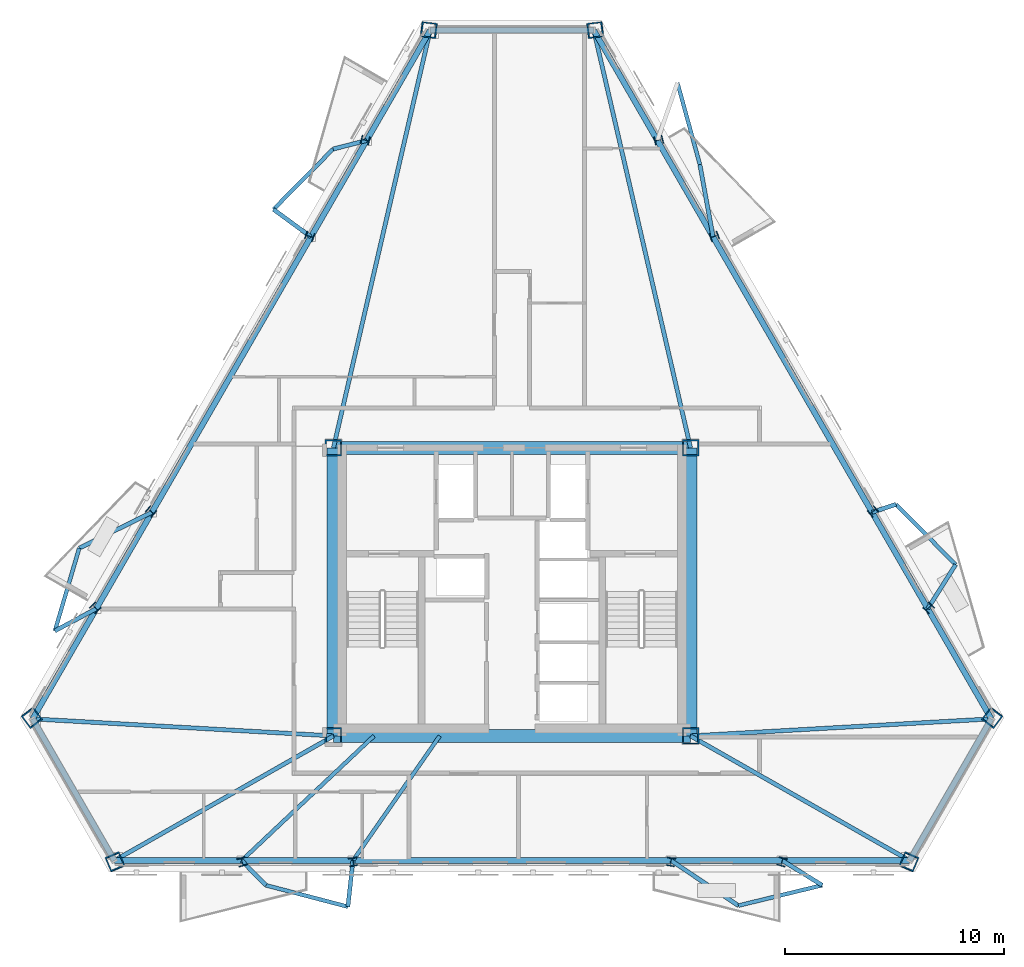
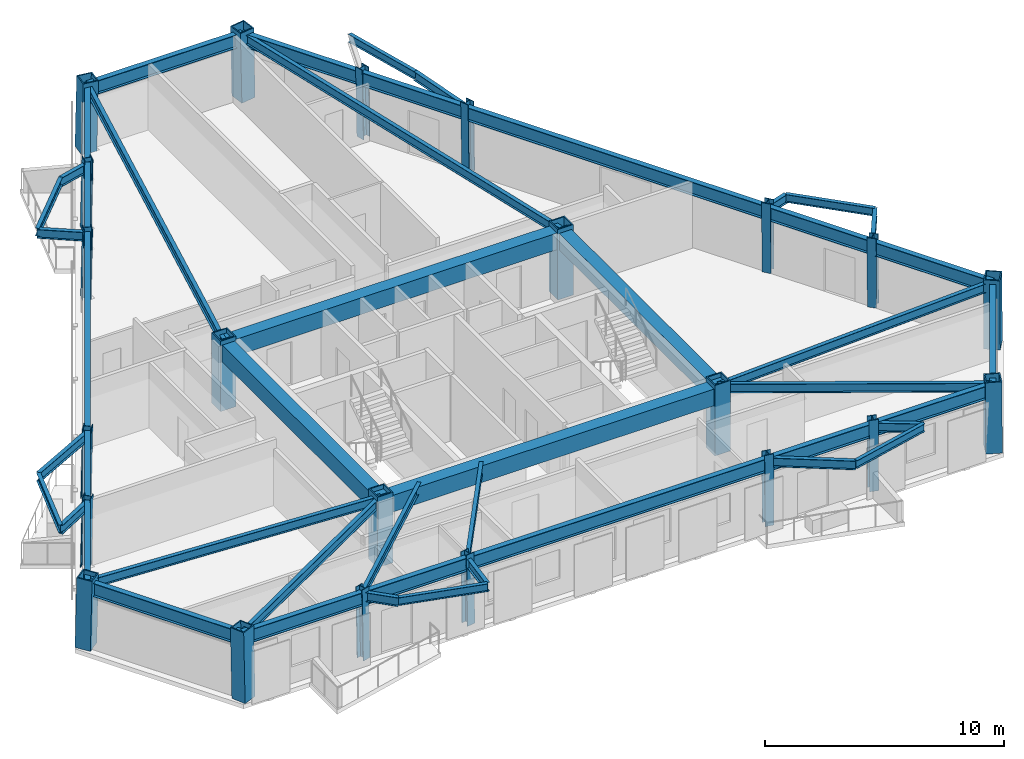
# One storey, part 1 of 8: 47 beams, 22 columns.
"""IFC4 building model written with IfcOpenShell, lengths in metres."""

from ifc_helpers import new_model, si_unit, direction, frame, origin, origin_2d, place, context, subcontext, project, spatial, rectangle, hollow_rectangle, i_section, extrude, material, material_profile, profile_set, type_object, element, save


model = new_model("IFC4")

# Units and contexts
model_context = context("Model", 3, precision=1e-05, world=origin(), true_north=direction((0.0, 1.0)))
body_context = subcontext(model_context, "Body", "Model", "MODEL_VIEW")
ifc_project = project(units=[si_unit("LENGTHUNIT", "METRE"), si_unit("AREAUNIT", "SQUARE_METRE"), si_unit("VOLUMEUNIT", "CUBIC_METRE"), si_unit("PLANEANGLEUNIT", "RADIAN"), si_unit("MASSUNIT", "GRAM", prefix="KILO")], contexts=[model_context])

# Site, building, storey
site_placement = place(None, origin())
site = spatial("IfcSite", under=ifc_project, at=site_placement, CompositionType="ELEMENT")
building_placement = place(site_placement, origin())
building = spatial("IfcBuilding", under=site, at=building_placement, Name="Oramaril Tower", CompositionType="ELEMENT")
storey_placement = place(building_placement, frame((0.0, 0.0, 193.800048828125)))
storey = spatial("IfcBuildingStorey", under=building, at=storey_placement, Name="L51", CompositionType="ELEMENT", Elevation=193.800048828125)

# Columns
ifc_material_1 = material(Name="Steel ASTM A572 Gr 50", Category="steel")
ifc_material_profile_1 = material_profile(ifc_material_1, hollow_rectangle(XDim=0.75, YDim=0.75, WallThickness=0.06005859375, at=origin_2d()), Name="BOX750X750X60")
ifc_profile_set_1 = profile_set([ifc_material_profile_1], Name="Steel ASTM A572 Gr 50")
column_type_1 = type_object("IfcColumnType", Name="CT-CC4", PredefinedType="COLUMN", material=ifc_profile_set_1)
for number, where, z_axis, x_axis, name in (
    (1, (29.35009765625, 11.0, 0.0), (0.0, 0.0, 1.0), (1.0, 0.0, 0.0), "L51 Core Column CC-1"),
    (2, (45.64990234375, 11.0, 0.0), (0.0, 0.0, 1.0), (1.0, 0.0, 0.0), "L51 Core Column CC-2"),
    (3, (45.64990234375, 24.14990234375, 0.0), (0.0, 0.0, 1.0), (1.0, 0.0, 0.0), "L51 Core Column CC-3"),
    (4, (29.35009765625, 24.14990234375, 0.0), (0.0, 0.0, 1.0), (1.0, 0.0, 0.0), "L51 Core Column CC-4"),
):
    element("IfcColumn", number, at=place(storey_placement, frame(where, z_axis=z_axis, x_axis=x_axis)), inside=storey, type_object=column_type_1, Name=name, PredefinedType="COLUMN", context=body_context, shape_type="SweptSolid", body=[
        extrude(hollow_rectangle(XDim=0.75, YDim=0.75, WallThickness=0.06005859375, at=origin_2d()), origin(), (0.0, 0.0, 1.0), 3.599853515625),
    ])
ifc_material_2 = material(Name="Steel ASTM A572 Gr 50", Category="steel")
ifc_material_profile_2 = material_profile(ifc_material_2, hollow_rectangle(XDim=0.699951171875, YDim=0.699951171875, WallThickness=0.054931640625, at=origin_2d()), Name="BOX700X700X55")
ifc_profile_set_2 = profile_set([ifc_material_profile_2], Name="Steel ASTM A572 Gr 50")
column_type_2 = type_object("IfcColumnType", Name="CT-TC4", PredefinedType="COLUMN", material=ifc_profile_set_2)
for number, where, z_axis, x_axis, name in (
    (5, (15.57373046875, 11.839111328125, 0.00439453125), (0.012710485816, -0.016788716559, 0.99977826669), (0.797280432378, 0.603609072286, 0.0), "L51 Tube Column TC-01"),
    (6, (19.3828125, 5.24169921875, 0.00439453125), (-0.008224423278, 0.019439545931, 0.999777206639), (-0.920967251069, -0.389639990837, 0.0), "L51 Tube Column TC-02"),
    (7, (55.6171875, 5.24169921875, 0.00439453125), (0.008224423278, 0.019439545931, 0.999777206639), (-0.920967251069, 0.389639990837, 0.0), "L51 Tube Column TC-03"),
    (8, (59.42626953125, 11.839111328125, 0.00439453125), (-0.012710485816, -0.016788716559, 0.99977826669), (0.797280432378, -0.603609072286, 0.0), "L51 Tube Column TC-04"),
    (9, (41.30908203125, 43.21923828125, 0.00439453125), (-0.020934901856, -0.002582877502, 0.999777504562), (0.122448202604, -0.992474905315, 0.0), "L51 Tube Column TC-05"),
    (10, (33.69091796875, 43.21923828125, 0.00439453125), (0.020934901856, -0.002582877502, 0.999777504562), (0.122448202604, 0.992474905315, 0.0), "L51 Tube Column TC-06"),
):
    element("IfcColumn", number, at=place(storey_placement, frame(where, z_axis=z_axis, x_axis=x_axis)), inside=storey, type_object=column_type_2, Name=name, PredefinedType="COLUMN", context=body_context, shape_type="SweptSolid", body=[
        extrude(hollow_rectangle(XDim=0.699951171875, YDim=0.699951171875, WallThickness=0.054931640625, at=origin_2d()), origin(), (0.0, 0.0, 1.0), 3.591796875),
    ])
ifc_material_3 = material(Name="Steel ASTM A572 Gr 50", Category="steel")
ifc_material_profile_3 = material_profile(ifc_material_3, i_section(OverallWidth=0.39892578125, OverallDepth=0.385986328125, WebThickness=0.02099609375, FlangeThickness=0.033203125, at=origin_2d()), Name="W14X176")
ifc_profile_set_3 = profile_set([ifc_material_profile_3], Name="Steel ASTM A572 Gr 50")
column_type_3 = type_object("IfcColumnType", Name="CT-TF4", PredefinedType="COLUMN", material=ifc_profile_set_3)
for number, where, z_axis, x_axis, name in (
    (11, (25.18017578125, 5.24169921875, 0.00439453125), (-0.00557367804, 0.019439901455, 0.99979549126), (-0.961269871069, -0.275608844153, 0.0), "L51 Tube Column TC-07"),
    (12, (30.253173828125, 5.24169921875, 0.00439453125), (-0.003330645749, 0.019440095594, 0.999805475821), (-0.985638648057, -0.168868159982, 0.0), "L51 Tube Column TC-08"),
    (13, (44.746826171875, 5.24169921875, 0.00439453125), (0.003330645749, 0.019440095594, 0.999805475821), (-0.985638648057, 0.168868159982, 0.0), "L51 Tube Column TC-09"),
    (14, (49.81982421875, 5.24169921875, 0.00439453125), (0.00557367804, 0.019439901455, 0.99979549126), (-0.961269871069, 0.275608844153, 0.0), "L51 Tube Column TC-10"),
    (15, (56.527587890625, 16.85986328125, 0.00439453125), (-0.014070134403, -0.014545936049, 0.99979520256), (0.718764553201, -0.695253563143, 0.0), "L51 Tube Column TC-11"),
    (16, (53.9912109375, 21.253173828125, 0.00439453125), (-0.015225801961, -0.012574881084, 0.999805004649), (0.636792489054, -0.771035229989, 0.0), "L51 Tube Column TC-12"),
    (17, (46.744140625, 33.80517578125, 0.00439453125), (-0.018488483035, -0.006865208774, 0.999805503537), (0.348099993894, -0.9374574093, 0.0), "L51 Tube Column TC-13"),
    (18, (44.207763671875, 38.198486328125, 0.00439453125), (-0.01964380811, -0.004893959114, 0.999795063984), (0.241745526559, -0.970339682992, 0.0), "L51 Tube Column TC-14"),
    (19, (30.792236328125, 38.198486328125, 0.00439453125), (0.01964380811, -0.004893959114, 0.999795063984), (0.241745526559, 0.970339682992, 0.0), "L51 Tube Column TC-15"),
    (20, (28.255859375, 33.80517578125, 0.00439453125), (0.018488483035, -0.006865208774, 0.999805503537), (0.348099993894, 0.9374574093, 0.0), "L51 Tube Column TC-16"),
    (21, (21.0087890625, 21.253173828125, 0.00439453125), (0.015225801961, -0.012574881084, 0.999805004649), (0.636792489054, 0.771035229989, 0.0), "L51 Tube Column TC-17"),
    (22, (18.472412109375, 16.85986328125, 0.00439453125), (0.014070134403, -0.014545936049, 0.99979520256), (0.718764553201, 0.695253563143, 0.0), "L51 Tube Column TC-18"),
):
    element("IfcColumn", number, at=place(storey_placement, frame(where, z_axis=z_axis, x_axis=x_axis)), inside=storey, type_object=column_type_3, Name=name, PredefinedType="COLUMN", context=body_context, shape_type="SweptSolid", body=[
        extrude(i_section(OverallWidth=0.39892578125, OverallDepth=0.385986328125, WebThickness=0.02099609375, FlangeThickness=0.033203125, at=origin_2d()), origin(), (0.0, 0.0, 1.0), 3.591796875),
    ])

# Beams
ifc_material_4 = material(Name="Steel ASTM A572 Gr 50", Category="steel")
ifc_material_profile_4 = material_profile(ifc_material_4, i_section(OverallWidth=0.19091796875, OverallDepth=0.45703125, WebThickness=0.009033203125, FlangeThickness=0.014404296875, at=origin_2d()), Name="W18X50")
ifc_profile_set_4 = profile_set([ifc_material_profile_4], Name="Steel ASTM A572 Gr 50")
beam_type_1 = type_object("IfcBeamType", Name="BT-BB1", PredefinedType="BEAM", material=ifc_profile_set_4)
beam_1_placement = place(storey_placement, frame((29.35009765625, 11.0, 3.1513671875), z_axis=(-0.998395281196, 0.056629166391, 0.0), x_axis=(-0.056629166391, -0.998395281196, 0.0)))
element("IfcBeam", 23, at=beam_1_placement, inside=storey, type_object=beam_type_1, Name="L51 Radial Primary Beam RB-01", PredefinedType="BEAM", context=body_context, shape_type="SweptSolid", body=[
    extrude(i_section(OverallWidth=0.19091796875, OverallDepth=0.45703125, WebThickness=0.009033203125, FlangeThickness=0.014404296875, at=origin_2d()), origin(), (0.0, 0.0, 1.0), 13.752685546875),
])
for number, where, z_axis, x_axis, name in (
    (24, (29.35009765625, 11.0, 3.1513671875), (-0.869140393328, -0.494565442268, 0.0), (0.494565442268, -0.869140393328, 0.0), "L51 Radial Primary Beam RB-02"),
    (25, (45.64990234375, 11.0, 3.1513671875), (0.869140393328, -0.494565442268, 0.0), (0.494565442268, 0.869140393328, 0.0), "L51 Radial Primary Beam RB-03"),
):
    element("IfcBeam", number, at=place(storey_placement, frame(where, z_axis=z_axis, x_axis=x_axis)), inside=storey, type_object=beam_type_1, Name=name, PredefinedType="BEAM", context=body_context, shape_type="SweptSolid", body=[
        extrude(i_section(OverallWidth=0.19091796875, OverallDepth=0.45703125, WebThickness=0.009033203125, FlangeThickness=0.014404296875, at=origin_2d()), origin(), (0.0, 0.0, 1.0), 11.501953125),
    ])
beam_2_placement = place(storey_placement, frame((45.64990234375, 11.0, 3.1513671875), z_axis=(0.998395281196, 0.056629166391, 0.0), x_axis=(-0.056629166391, 0.998395281196, 0.0)))
element("IfcBeam", 26, at=beam_2_placement, inside=storey, type_object=beam_type_1, Name="L51 Radial Primary Beam RB-04", PredefinedType="BEAM", context=body_context, shape_type="SweptSolid", body=[
    extrude(i_section(OverallWidth=0.19091796875, OverallDepth=0.45703125, WebThickness=0.009033203125, FlangeThickness=0.014404296875, at=origin_2d()), origin(), (0.0, 0.0, 1.0), 13.752685546875),
])
for number, where, z_axis, x_axis, name in (
    (27, (45.64990234375, 24.14990234375, 3.1513671875), (-0.225710621014, 0.974194393107, 0.0), (-0.974194393107, -0.225710621014, 0.0), "L51 Radial Primary Beam RB-05"),
    (28, (29.35009765625, 24.14990234375, 3.1513671875), (0.225710621014, 0.974194393107, 0.0), (-0.974194393107, 0.225710621014, 0.0), "L51 Radial Primary Beam RB-06"),
):
    element("IfcBeam", number, at=place(storey_placement, frame(where, z_axis=z_axis, x_axis=x_axis)), inside=storey, type_object=beam_type_1, Name=name, PredefinedType="BEAM", context=body_context, shape_type="SweptSolid", body=[
        extrude(i_section(OverallWidth=0.19091796875, OverallDepth=0.45703125, WebThickness=0.009033203125, FlangeThickness=0.014404296875, at=origin_2d()), origin(), (0.0, 0.0, 1.0), 19.56494140625),
    ])
beam_3_placement = place(storey_placement, frame((25.16015625, 5.3115234375, 3.1513671875), z_axis=(0.699960123165, -0.714181927788, 0.0), x_axis=(0.714181927788, 0.699960123165, 0.0)))
element("IfcBeam", 29, at=beam_3_placement, inside=storey, type_object=beam_type_1, Name="L51 Balcony Column-Framed Cantilever 01.1", PredefinedType="BEAM", context=body_context, shape_type="SweptSolid", body=[
    extrude(i_section(OverallWidth=0.19091796875, OverallDepth=0.45703125, WebThickness=0.009033203125, FlangeThickness=0.014404296875, at=origin_2d()), origin(), (0.0, 0.0, 1.0), 1.579345703125),
])
beam_4_placement = place(storey_placement, frame((30.2412109375, 5.3115234375, 3.1513671875), z_axis=(-0.109256302703, -0.994013611738, 0.0), x_axis=(0.994013611738, -0.109256302703, 0.0)))
element("IfcBeam", 30, at=beam_4_placement, inside=storey, type_object=beam_type_1, Name="L51 Balcony Column-Framed Cantilever 01.2", PredefinedType="BEAM", context=body_context, shape_type="SweptSolid", body=[
    extrude(i_section(OverallWidth=0.19091796875, OverallDepth=0.45703125, WebThickness=0.009033203125, FlangeThickness=0.014404296875, at=origin_2d()), origin(), (0.0, 0.0, 1.0), 2.12060546875),
])
beam_5_placement = place(storey_placement, frame((44.7587890625, 5.3115234375, 3.1513671875), z_axis=(0.831593201614, -0.555385223993, 0.0), x_axis=(0.555385223993, 0.831593201614, 0.0)))
element("IfcBeam", 31, at=beam_5_placement, inside=storey, type_object=beam_type_1, Name="L51 Balcony Column-Framed Cantilever 02.1", PredefinedType="BEAM", context=body_context, shape_type="SweptSolid", body=[
    extrude(i_section(OverallWidth=0.19091796875, OverallDepth=0.45703125, WebThickness=0.009033203125, FlangeThickness=0.014404296875, at=origin_2d()), origin(), (0.0, 0.0, 1.0), 3.699951171875),
])
beam_6_placement = place(storey_placement, frame((49.83984375, 5.3115234375, 3.1513671875), z_axis=(0.849946611465, -0.526868823959, 0.0), x_axis=(0.526868823959, 0.849946611465, 0.0)))
element("IfcBeam", 32, at=beam_6_placement, inside=storey, type_object=beam_type_1, Name="L51 Balcony Column-Framed Cantilever 02.2", PredefinedType="BEAM", context=body_context, shape_type="SweptSolid", body=[
    extrude(i_section(OverallWidth=0.19091796875, OverallDepth=0.45703125, WebThickness=0.009033203125, FlangeThickness=0.014404296875, at=origin_2d()), origin(), (0.0, 0.0, 1.0), 2.140869140625),
])
beam_7_placement = place(storey_placement, frame((56.47705078125, 16.8076171875, 3.1513671875), z_axis=(0.534756807398, 0.845006010003, 0.0), x_axis=(-0.845006010003, 0.534756807398, 0.0)))
element("IfcBeam", 33, at=beam_7_placement, inside=storey, type_object=beam_type_1, Name="L51 Balcony Column-Framed Cantilever 03.1", PredefinedType="BEAM", context=body_context, shape_type="SweptSolid", body=[
    extrude(i_section(OverallWidth=0.19091796875, OverallDepth=0.45703125, WebThickness=0.009033203125, FlangeThickness=0.014404296875, at=origin_2d()), origin(), (0.0, 0.0, 1.0), 2.38037109375),
])
beam_8_placement = place(storey_placement, frame((53.9365234375, 21.2080078125, 3.1513671875), z_axis=(0.948873917725, 0.315655331433, 0.0), x_axis=(-0.315655331433, 0.948873917725, 0.0)))
element("IfcBeam", 34, at=beam_8_placement, inside=storey, type_object=beam_type_1, Name="L51 Balcony Column-Framed Cantilever 03.2", PredefinedType="BEAM", context=body_context, shape_type="SweptSolid", body=[
    extrude(i_section(OverallWidth=0.19091796875, OverallDepth=0.45703125, WebThickness=0.009033203125, FlangeThickness=0.014404296875, at=origin_2d()), origin(), (0.0, 0.0, 1.0), 1.151611328125),
])
beam_9_placement = place(storey_placement, frame((46.677734375, 33.780517578125, 3.1513671875), z_axis=(-0.179378907975, 0.983780060468, 0.0), x_axis=(-0.983780060468, -0.179378907975, 0.0)))
element("IfcBeam", 35, at=beam_9_placement, inside=storey, type_object=beam_type_1, Name="L51 Balcony Column-Framed Cantilever 04.1", PredefinedType="BEAM", context=body_context, shape_type="SweptSolid", body=[
    extrude(i_section(OverallWidth=0.19091796875, OverallDepth=0.45703125, WebThickness=0.009033203125, FlangeThickness=0.014404296875, at=origin_2d()), origin(), (0.0, 0.0, 1.0), 3.352294921875),
])
beam_10_placement = place(storey_placement, frame((30.86279296875, 38.180908203125, 3.1513671875), z_axis=(-0.968502518206, -0.249003759468, 0.0), x_axis=(0.249003759468, -0.968502518206, 0.0)))
element("IfcBeam", 36, at=beam_10_placement, inside=storey, type_object=beam_type_1, Name="L51 Balcony Column-Framed Cantilever 05.1", PredefinedType="BEAM", context=body_context, shape_type="SweptSolid", body=[
    extrude(i_section(OverallWidth=0.19091796875, OverallDepth=0.45703125, WebThickness=0.009033203125, FlangeThickness=0.014404296875, at=origin_2d()), origin(), (0.0, 0.0, 1.0), 1.57958984375),
])
beam_11_placement = place(storey_placement, frame((28.322265625, 33.780517578125, 3.1513671875), z_axis=(-0.806254923116, 0.59156825384, 0.0), x_axis=(-0.59156825384, -0.806254923116, 0.0)))
element("IfcBeam", 37, at=beam_11_placement, inside=storey, type_object=beam_type_1, Name="L51 Balcony Column-Framed Cantilever 05.2", PredefinedType="BEAM", context=body_context, shape_type="SweptSolid", body=[
    extrude(i_section(OverallWidth=0.19091796875, OverallDepth=0.45703125, WebThickness=0.009033203125, FlangeThickness=0.014404296875, at=origin_2d()), origin(), (0.0, 0.0, 1.0), 2.120849609375),
])
beam_12_placement = place(storey_placement, frame((21.0634765625, 21.2080078125, 3.1513671875), z_axis=(-0.896776910271, -0.442482963746, 0.0), x_axis=(0.442482963746, -0.896776910271, 0.0)))
element("IfcBeam", 38, at=beam_12_placement, inside=storey, type_object=beam_type_1, Name="L51 Balcony Column-Framed Cantilever 06.1", PredefinedType="BEAM", context=body_context, shape_type="SweptSolid", body=[
    extrude(i_section(OverallWidth=0.19091796875, OverallDepth=0.45703125, WebThickness=0.009033203125, FlangeThickness=0.014404296875, at=origin_2d()), origin(), (0.0, 0.0, 1.0), 3.699951171875),
])
beam_13_placement = place(storey_placement, frame((18.52294921875, 16.8076171875, 3.1513671875), z_axis=(-0.881290022867, -0.472575809363, 0.0), x_axis=(0.472575809363, -0.881290022867, 0.0)))
element("IfcBeam", 39, at=beam_13_placement, inside=storey, type_object=beam_type_1, Name="L51 Balcony Column-Framed Cantilever 06.2", PredefinedType="BEAM", context=body_context, shape_type="SweptSolid", body=[
    extrude(i_section(OverallWidth=0.19091796875, OverallDepth=0.45703125, WebThickness=0.009033203125, FlangeThickness=0.014404296875, at=origin_2d()), origin(), (0.0, 0.0, 1.0), 2.140869140625),
])
ifc_material_5 = material(Name="Concrete C50/60", Category="concrete")
ifc_material_profile_5 = material_profile(ifc_material_5, rectangle(XDim=0.60009765625, YDim=0.85009765625, at=origin_2d()), Name="CB600X850")
ifc_profile_set_5 = profile_set([ifc_material_profile_5], Name="Concrete C50/60")
beam_type_2 = type_object("IfcBeamType", Name="BT-CB2", PredefinedType="BEAM", material=ifc_profile_set_5)
beam_14_placement = place(storey_placement, frame((29.35009765625, 11.0, 2.954833984375), z_axis=(1.0, 0.0, 0.0), x_axis=(0.0, 1.0, 0.0)))
element("IfcBeam", 40, at=beam_14_placement, inside=storey, type_object=beam_type_2, Name="L51 Core Header Beam CB-1", PredefinedType="BEAM", context=body_context, shape_type="SweptSolid", body=[
    extrude(rectangle(XDim=0.60009765625, YDim=0.85009765625, at=origin_2d()), origin(), (0.0, 0.0, 1.0), 16.2998046875),
])
beam_15_placement = place(storey_placement, frame((45.64990234375, 11.0, 2.954833984375), z_axis=(0.0, 1.0, 0.0), x_axis=(-1.0, 0.0, 0.0)))
element("IfcBeam", 41, at=beam_15_placement, inside=storey, type_object=beam_type_2, Name="L51 Core Header Beam CB-2", PredefinedType="BEAM", context=body_context, shape_type="SweptSolid", body=[
    extrude(rectangle(XDim=0.60009765625, YDim=0.85009765625, at=origin_2d()), origin(), (0.0, 0.0, 1.0), 13.14990234375),
])
beam_16_placement = place(storey_placement, frame((45.64990234375, 24.14990234375, 2.954833984375), z_axis=(-1.0, 0.0, 0.0), x_axis=(0.0, -1.0, 0.0)))
element("IfcBeam", 42, at=beam_16_placement, inside=storey, type_object=beam_type_2, Name="L51 Core Header Beam CB-3", PredefinedType="BEAM", context=body_context, shape_type="SweptSolid", body=[
    extrude(rectangle(XDim=0.60009765625, YDim=0.85009765625, at=origin_2d()), origin(), (0.0, 0.0, 1.0), 16.2998046875),
])
beam_17_placement = place(storey_placement, frame((29.35009765625, 24.14990234375, 2.954833984375), z_axis=(0.0, -1.0, 0.0), x_axis=(1.0, 0.0, 0.0)))
element("IfcBeam", 43, at=beam_17_placement, inside=storey, type_object=beam_type_2, Name="L51 Core Header Beam CB-4", PredefinedType="BEAM", context=body_context, shape_type="SweptSolid", body=[
    extrude(rectangle(XDim=0.60009765625, YDim=0.85009765625, at=origin_2d()), origin(), (0.0, 0.0, 1.0), 13.14990234375),
])
ifc_material_6 = material(Name="Steel ASTM A572 Gr 50", Category="steel")
ifc_material_profile_6 = material_profile(ifc_material_6, i_section(OverallWidth=0.177978515625, OverallDepth=0.404052734375, WebThickness=0.007568359375, FlangeThickness=0.010986328125, at=origin_2d()), Name="W16X36")
ifc_profile_set_6 = profile_set([ifc_material_profile_6], Name="Steel ASTM A572 Gr 50")
beam_type_3 = type_object("IfcBeamType", Name="BT-SB1", PredefinedType="BEAM", material=ifc_profile_set_6)
beam_18_placement = place(storey_placement, frame((31.199951171875, 11.0, 3.177978515625), z_axis=(-0.727961519755, -0.685617988209, 0.0), x_axis=(0.685617988209, -0.727961519755, 0.0)))
element("IfcBeam", 44, at=beam_18_placement, inside=storey, type_object=beam_type_3, Name="L51 Secondary Floor Beam SB-01", PredefinedType="BEAM", context=body_context, shape_type="SweptSolid", body=[
    extrude(i_section(OverallWidth=0.177978515625, OverallDepth=0.404052734375, WebThickness=0.007568359375, FlangeThickness=0.010986328125, at=origin_2d()), origin(), (0.0, 0.0, 1.0), 8.296875),
])
beam_19_placement = place(storey_placement, frame((34.199951171875, 11.0, 3.177978515625), z_axis=(-0.571214139548, -0.820801076254, 0.0), x_axis=(0.820801076254, -0.571214139548, 0.0)))
element("IfcBeam", 45, at=beam_19_placement, inside=storey, type_object=beam_type_3, Name="L51 Secondary Floor Beam SB-02", PredefinedType="BEAM", context=body_context, shape_type="SweptSolid", body=[
    extrude(i_section(OverallWidth=0.177978515625, OverallDepth=0.404052734375, WebThickness=0.007568359375, FlangeThickness=0.010986328125, at=origin_2d()), origin(), (0.0, 0.0, 1.0), 6.930419921875),
])
beam_20_placement = place(storey_placement, frame((26.265625, 4.18359375, 3.177978515625), z_axis=(0.967407922874, -0.253223045479, 0.0), x_axis=(0.253223045479, 0.967407922874, 0.0)))
element("IfcBeam", 46, at=beam_20_placement, inside=storey, type_object=beam_type_3, Name="L51 Balcony Edge Tie Beam 01", PredefinedType="BEAM", context=body_context, shape_type="SweptSolid", body=[
    extrude(i_section(OverallWidth=0.177978515625, OverallDepth=0.404052734375, WebThickness=0.007568359375, FlangeThickness=0.010986328125, at=origin_2d()), origin(), (0.0, 0.0, 1.0), 3.8701171875),
])
beam_21_placement = place(storey_placement, frame((47.835693359375, 3.256591796875, 3.177978515625), z_axis=(0.971847952957, 0.235608905464, 0.0), x_axis=(-0.235608905464, 0.971847952957, 0.0)))
element("IfcBeam", 47, at=beam_21_placement, inside=storey, type_object=beam_type_3, Name="L51 Balcony Edge Tie Beam 02", PredefinedType="BEAM", context=body_context, shape_type="SweptSolid", body=[
    extrude(i_section(OverallWidth=0.177978515625, OverallDepth=0.404052734375, WebThickness=0.007568359375, FlangeThickness=0.010986328125, at=origin_2d()), origin(), (0.0, 0.0, 1.0), 3.9345703125),
])
for number, where, z_axis, x_axis, name in (
    (48, (57.75, 18.819091796875, 3.177978515625), (-0.702994511648, 0.71119527318, 0.0), (-0.71119527318, -0.702994511648, 0.0), "L51 Balcony Edge Tie Beam 03"),
    (49, (46.076416015625, 37.078369140625, 3.177978515625), (-0.264440915482, 0.964401888332, 0.0), (-0.964401888332, -0.264440915482, 0.0), "L51 Balcony Edge Tie Beam 04"),
    (50, (29.3330078125, 37.78759765625, 3.177978515625), (-0.702994511648, -0.71119527318, 0.0), (0.71119527318, -0.702994511648, 0.0), "L51 Balcony Edge Tie Beam 05"),
):
    element("IfcBeam", number, at=place(storey_placement, frame(where, z_axis=z_axis, x_axis=x_axis)), inside=storey, type_object=beam_type_3, Name=name, PredefinedType="BEAM", context=body_context, shape_type="SweptSolid", body=[
        extrude(i_section(OverallWidth=0.177978515625, OverallDepth=0.404052734375, WebThickness=0.007568359375, FlangeThickness=0.010986328125, at=origin_2d()), origin(), (0.0, 0.0, 1.0), 3.8701171875),
    ])
beam_22_placement = place(storey_placement, frame((17.745361328125, 19.57080078125, 3.177978515625), z_axis=(-0.281900913688, -0.95944352354, 0.0), x_axis=(0.95944352354, -0.281900913688, 0.0)))
element("IfcBeam", 51, at=beam_22_placement, inside=storey, type_object=beam_type_3, Name="L51 Balcony Edge Tie Beam 06", PredefinedType="BEAM", context=body_context, shape_type="SweptSolid", body=[
    extrude(i_section(OverallWidth=0.177978515625, OverallDepth=0.404052734375, WebThickness=0.007568359375, FlangeThickness=0.010986328125, at=origin_2d()), origin(), (0.0, 0.0, 1.0), 3.9345703125),
])
ifc_material_7 = material(Name="Steel ASTM A572 Gr 50", Category="steel")
ifc_material_profile_7 = material_profile(ifc_material_7, i_section(OverallWidth=0.257080078125, OverallDepth=0.693115234375, WebThickness=0.014404296875, FlangeThickness=0.023681640625, at=origin_2d()), Name="W27X114")
ifc_profile_set_7 = profile_set([ifc_material_profile_7], Name="Steel ASTM A572 Gr 50")
beam_type_4 = type_object("IfcBeamType", Name="BT-SP4", PredefinedType="SPANDREL", material=ifc_profile_set_7)
beam_23_placement = place(storey_placement, frame((15.619384765625, 11.77880859375, 3.033447265625), z_axis=(0.499999788377, -0.866025525965, 0.0), x_axis=(0.866025525965, 0.499999788377, 0.0)))
element("IfcBeam", 52, at=beam_23_placement, inside=storey, type_object=beam_type_4, Name="L51 Perimeter Spandrel 01", PredefinedType="SPANDREL", context=body_context, shape_type="SweptSolid", body=[
    extrude(i_section(OverallWidth=0.257080078125, OverallDepth=0.693115234375, WebThickness=0.014404296875, FlangeThickness=0.023681640625, at=origin_2d()), origin(), (0.0, 0.0, 1.0), 7.4677734375),
])
beam_24_placement = place(storey_placement, frame((19.353271484375, 5.3115234375, 3.033447265625), z_axis=(1.0, 0.0, 0.0), x_axis=(0.0, 1.0, 0.0)))
element("IfcBeam", 53, at=beam_24_placement, inside=storey, type_object=beam_type_4, Name="L51 Perimeter Spandrel 02", PredefinedType="SPANDREL", context=body_context, shape_type="SweptSolid", body=[
    extrude(i_section(OverallWidth=0.257080078125, OverallDepth=0.693115234375, WebThickness=0.014404296875, FlangeThickness=0.023681640625, at=origin_2d()), origin(), (0.0, 0.0, 1.0), 5.806884765625),
])
beam_25_placement = place(storey_placement, frame((25.16015625, 5.3115234375, 3.033447265625), z_axis=(1.0, 0.0, 0.0), x_axis=(0.0, 1.0, 0.0)))
element("IfcBeam", 54, at=beam_25_placement, inside=storey, type_object=beam_type_4, Name="L51 Perimeter Spandrel 03", PredefinedType="SPANDREL", context=body_context, shape_type="SweptSolid", body=[
    extrude(i_section(OverallWidth=0.257080078125, OverallDepth=0.693115234375, WebThickness=0.014404296875, FlangeThickness=0.023681640625, at=origin_2d()), origin(), (0.0, 0.0, 1.0), 5.0810546875),
])
beam_26_placement = place(storey_placement, frame((30.2412109375, 5.3115234375, 3.033447265625), z_axis=(1.0, 0.0, 0.0), x_axis=(0.0, 1.0, 0.0)))
element("IfcBeam", 55, at=beam_26_placement, inside=storey, type_object=beam_type_4, Name="L51 Perimeter Spandrel 04", PredefinedType="SPANDREL", context=body_context, shape_type="SweptSolid", body=[
    extrude(i_section(OverallWidth=0.257080078125, OverallDepth=0.693115234375, WebThickness=0.014404296875, FlangeThickness=0.023681640625, at=origin_2d()), origin(), (0.0, 0.0, 1.0), 14.517578125),
])
beam_27_placement = place(storey_placement, frame((44.7587890625, 5.3115234375, 3.033447265625), z_axis=(1.0, 0.0, 0.0), x_axis=(0.0, 1.0, 0.0)))
element("IfcBeam", 56, at=beam_27_placement, inside=storey, type_object=beam_type_4, Name="L51 Perimeter Spandrel 05", PredefinedType="SPANDREL", context=body_context, shape_type="SweptSolid", body=[
    extrude(i_section(OverallWidth=0.257080078125, OverallDepth=0.693115234375, WebThickness=0.014404296875, FlangeThickness=0.023681640625, at=origin_2d()), origin(), (0.0, 0.0, 1.0), 5.0810546875),
])
beam_28_placement = place(storey_placement, frame((49.83984375, 5.3115234375, 3.033447265625), z_axis=(1.0, 0.0, 0.0), x_axis=(0.0, 1.0, 0.0)))
element("IfcBeam", 57, at=beam_28_placement, inside=storey, type_object=beam_type_4, Name="L51 Perimeter Spandrel 06", PredefinedType="SPANDREL", context=body_context, shape_type="SweptSolid", body=[
    extrude(i_section(OverallWidth=0.257080078125, OverallDepth=0.693115234375, WebThickness=0.014404296875, FlangeThickness=0.023681640625, at=origin_2d()), origin(), (0.0, 0.0, 1.0), 5.806884765625),
])
beam_29_placement = place(storey_placement, frame((55.646728515625, 5.3115234375, 3.033447265625), z_axis=(0.499999788377, 0.866025525965, 0.0), x_axis=(-0.866025525965, 0.499999788377, 0.0)))
element("IfcBeam", 58, at=beam_29_placement, inside=storey, type_object=beam_type_4, Name="L51 Perimeter Spandrel 07", PredefinedType="SPANDREL", context=body_context, shape_type="SweptSolid", body=[
    extrude(i_section(OverallWidth=0.257080078125, OverallDepth=0.693115234375, WebThickness=0.014404296875, FlangeThickness=0.023681640625, at=origin_2d()), origin(), (0.0, 0.0, 1.0), 7.4677734375),
])
beam_30_placement = place(storey_placement, frame((59.380615234375, 11.77880859375, 3.033447265625), z_axis=(-0.500023307322, 0.866011946878, 0.0), x_axis=(-0.866011946878, -0.500023307322, 0.0)))
element("IfcBeam", 59, at=beam_30_placement, inside=storey, type_object=beam_type_4, Name="L51 Perimeter Spandrel 08", PredefinedType="SPANDREL", context=body_context, shape_type="SweptSolid", body=[
    extrude(i_section(OverallWidth=0.257080078125, OverallDepth=0.693115234375, WebThickness=0.014404296875, FlangeThickness=0.023681640625, at=origin_2d()), origin(), (0.0, 0.0, 1.0), 5.806884765625),
])
beam_31_placement = place(storey_placement, frame((56.47705078125, 16.8076171875, 3.033447265625), z_axis=(-0.499994189038, 0.866028758719, 0.0), x_axis=(-0.866028758719, -0.499994189038, 0.0)))
element("IfcBeam", 60, at=beam_31_placement, inside=storey, type_object=beam_type_4, Name="L51 Perimeter Spandrel 09", PredefinedType="SPANDREL", context=body_context, shape_type="SweptSolid", body=[
    extrude(i_section(OverallWidth=0.257080078125, OverallDepth=0.693115234375, WebThickness=0.014404296875, FlangeThickness=0.023681640625, at=origin_2d()), origin(), (0.0, 0.0, 1.0), 5.0810546875),
])
beam_32_placement = place(storey_placement, frame((53.9365234375, 21.2080078125, 3.033447265625), z_axis=(-0.500002436621, 0.866023996996, 0.0), x_axis=(-0.866023996996, -0.500002436621, 0.0)))
element("IfcBeam", 61, at=beam_32_placement, inside=storey, type_object=beam_type_4, Name="L51 Perimeter Spandrel 10", PredefinedType="SPANDREL", context=body_context, shape_type="SweptSolid", body=[
    extrude(i_section(OverallWidth=0.257080078125, OverallDepth=0.693115234375, WebThickness=0.014404296875, FlangeThickness=0.023681640625, at=origin_2d()), origin(), (0.0, 0.0, 1.0), 14.517578125),
])
beam_33_placement = place(storey_placement, frame((46.677734375, 33.780517578125, 3.033447265625), z_axis=(-0.499994189038, 0.866028758719, 0.0), x_axis=(-0.866028758719, -0.499994189038, 0.0)))
element("IfcBeam", 62, at=beam_33_placement, inside=storey, type_object=beam_type_4, Name="L51 Perimeter Spandrel 11", PredefinedType="SPANDREL", context=body_context, shape_type="SweptSolid", body=[
    extrude(i_section(OverallWidth=0.257080078125, OverallDepth=0.693115234375, WebThickness=0.014404296875, FlangeThickness=0.023681640625, at=origin_2d()), origin(), (0.0, 0.0, 1.0), 5.0810546875),
])
beam_34_placement = place(storey_placement, frame((44.13720703125, 38.180908203125, 3.033447265625), z_axis=(-0.499973569686, 0.866040662796, 0.0), x_axis=(-0.866040662796, -0.499973569686, 0.0)))
element("IfcBeam", 63, at=beam_34_placement, inside=storey, type_object=beam_type_4, Name="L51 Perimeter Spandrel 12", PredefinedType="SPANDREL", context=body_context, shape_type="SweptSolid", body=[
    extrude(i_section(OverallWidth=0.257080078125, OverallDepth=0.693115234375, WebThickness=0.014404296875, FlangeThickness=0.023681640625, at=origin_2d()), origin(), (0.0, 0.0, 1.0), 5.806884765625),
])
beam_35_placement = place(storey_placement, frame((41.23388671875, 43.2099609375, 3.033447265625), z_axis=(-1.0, 0.0, 0.0), x_axis=(0.0, -1.0, 0.0)))
element("IfcBeam", 64, at=beam_35_placement, inside=storey, type_object=beam_type_4, Name="L51 Perimeter Spandrel 13", PredefinedType="SPANDREL", context=body_context, shape_type="SweptSolid", body=[
    extrude(i_section(OverallWidth=0.257080078125, OverallDepth=0.693115234375, WebThickness=0.014404296875, FlangeThickness=0.023681640625, at=origin_2d()), origin(), (0.0, 0.0, 1.0), 7.4677734375),
])
beam_36_placement = place(storey_placement, frame((33.76611328125, 43.2099609375, 3.033447265625), z_axis=(-0.499973569686, -0.866040662796, 0.0), x_axis=(0.866040662796, -0.499973569686, 0.0)))
element("IfcBeam", 65, at=beam_36_placement, inside=storey, type_object=beam_type_4, Name="L51 Perimeter Spandrel 14", PredefinedType="SPANDREL", context=body_context, shape_type="SweptSolid", body=[
    extrude(i_section(OverallWidth=0.257080078125, OverallDepth=0.693115234375, WebThickness=0.014404296875, FlangeThickness=0.023681640625, at=origin_2d()), origin(), (0.0, 0.0, 1.0), 5.806884765625),
])
beam_37_placement = place(storey_placement, frame((30.86279296875, 38.180908203125, 3.033447265625), z_axis=(-0.499994189038, -0.866028758719, 0.0), x_axis=(0.866028758719, -0.499994189038, 0.0)))
element("IfcBeam", 66, at=beam_37_placement, inside=storey, type_object=beam_type_4, Name="L51 Perimeter Spandrel 15", PredefinedType="SPANDREL", context=body_context, shape_type="SweptSolid", body=[
    extrude(i_section(OverallWidth=0.257080078125, OverallDepth=0.693115234375, WebThickness=0.014404296875, FlangeThickness=0.023681640625, at=origin_2d()), origin(), (0.0, 0.0, 1.0), 5.0810546875),
])
beam_38_placement = place(storey_placement, frame((28.322265625, 33.780517578125, 3.033447265625), z_axis=(-0.500002436621, -0.866023996996, 0.0), x_axis=(0.866023996996, -0.500002436621, 0.0)))
element("IfcBeam", 67, at=beam_38_placement, inside=storey, type_object=beam_type_4, Name="L51 Perimeter Spandrel 16", PredefinedType="SPANDREL", context=body_context, shape_type="SweptSolid", body=[
    extrude(i_section(OverallWidth=0.257080078125, OverallDepth=0.693115234375, WebThickness=0.014404296875, FlangeThickness=0.023681640625, at=origin_2d()), origin(), (0.0, 0.0, 1.0), 14.517578125),
])
beam_39_placement = place(storey_placement, frame((21.0634765625, 21.2080078125, 3.033447265625), z_axis=(-0.499994189038, -0.866028758719, 0.0), x_axis=(0.866028758719, -0.499994189038, 0.0)))
element("IfcBeam", 68, at=beam_39_placement, inside=storey, type_object=beam_type_4, Name="L51 Perimeter Spandrel 17", PredefinedType="SPANDREL", context=body_context, shape_type="SweptSolid", body=[
    extrude(i_section(OverallWidth=0.257080078125, OverallDepth=0.693115234375, WebThickness=0.014404296875, FlangeThickness=0.023681640625, at=origin_2d()), origin(), (0.0, 0.0, 1.0), 5.0810546875),
])
beam_40_placement = place(storey_placement, frame((18.52294921875, 16.8076171875, 3.033447265625), z_axis=(-0.500023307322, -0.866011946878, 0.0), x_axis=(0.866011946878, -0.500023307322, 0.0)))
element("IfcBeam", 69, at=beam_40_placement, inside=storey, type_object=beam_type_4, Name="L51 Perimeter Spandrel 18", PredefinedType="SPANDREL", context=body_context, shape_type="SweptSolid", body=[
    extrude(i_section(OverallWidth=0.257080078125, OverallDepth=0.693115234375, WebThickness=0.014404296875, FlangeThickness=0.023681640625, at=origin_2d()), origin(), (0.0, 0.0, 1.0), 5.806884765625),
])

save(model, "model.ifc")
